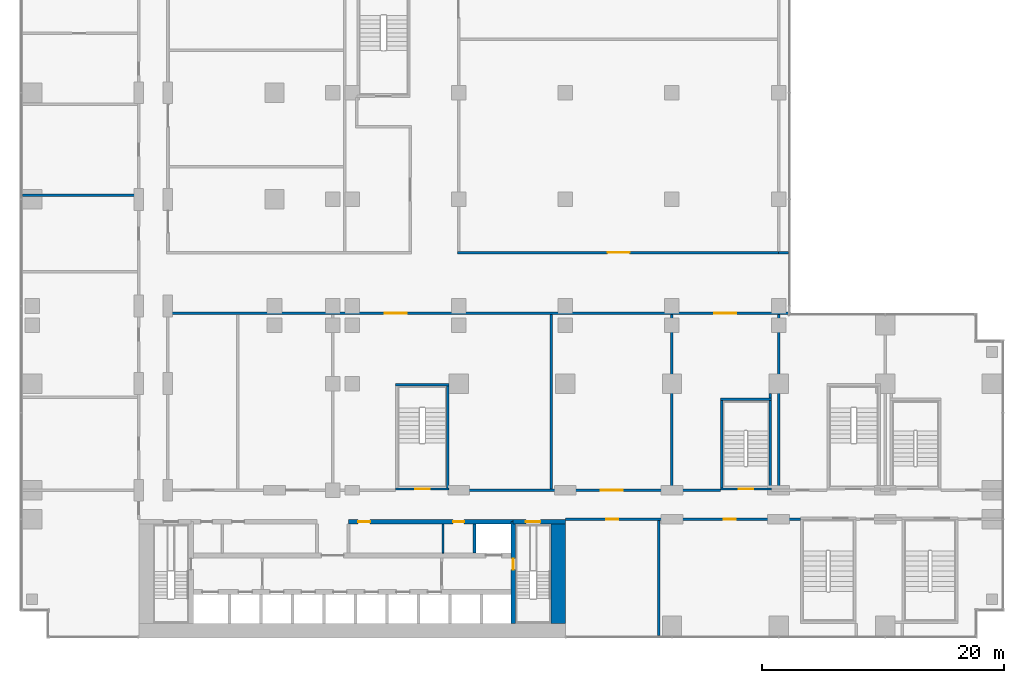
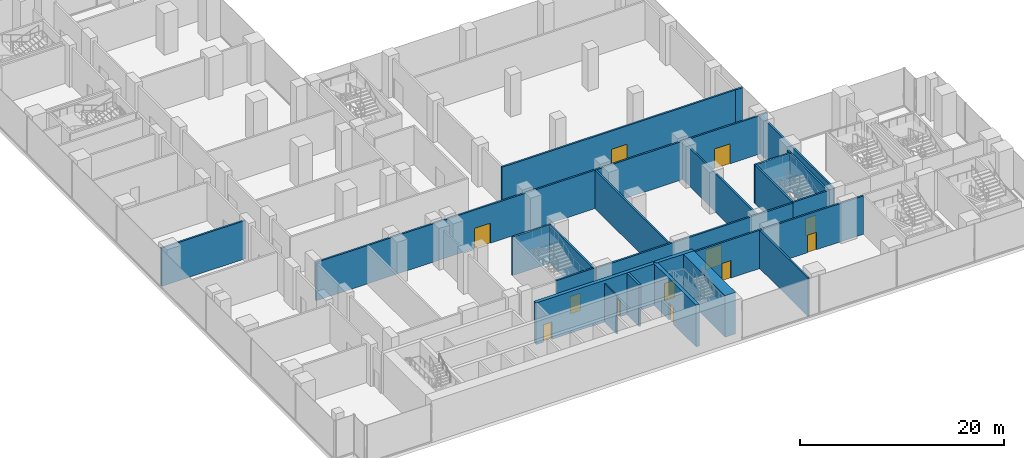
# One storey, part 19 of 30: 23 walls, 12 doors, 12 openings.
"""IFC4 building model written with IfcOpenShell, lengths in metres."""

from ifc_helpers import new_model, si_unit, direction, frame, frame_2d, origin, place, context, subcontext, project, spatial, rectangle, extrude, material, layer, layer_set, type_object, element, fill, save


model = new_model("IFC4")

# Units and contexts
model_context = context("Model", 3, precision=1e-05, world=origin(), true_north=direction((0.0, 1.0)))
body_context = subcontext(model_context, "Body", "Model", "MODEL_VIEW")
ifc_project = project(units=[si_unit("LENGTHUNIT", "METRE"), si_unit("AREAUNIT", "SQUARE_METRE"), si_unit("VOLUMEUNIT", "CUBIC_METRE"), si_unit("PLANEANGLEUNIT", "RADIAN"), si_unit("MASSUNIT", "GRAM", prefix="KILO")], contexts=[model_context])

# Site, building, storey
site_placement = place(None, origin())
site = spatial("IfcSite", under=ifc_project, at=site_placement, CompositionType="ELEMENT")
building_placement = place(site_placement, origin())
building = spatial("IfcBuilding", under=site, at=building_placement, Name="Kemantara Hotel Tower", CompositionType="ELEMENT")
storey_placement = place(building_placement, frame((0.0, 0.0, 13.0)))
storey = spatial("IfcBuildingStorey", under=building, at=storey_placement, Name="L02", CompositionType="ELEMENT", Elevation=13.0)

# Walls
ifc_material_1 = material(Name="Concrete fc 70 MPa", Category="concrete")
ifc_layer_1 = layer(ifc_material_1, 1.199951171875)
ifc_layer_set_1 = layer_set([ifc_layer_1], Name="Concrete fc 70 MPa")
wall_type_1 = type_object("IfcWallType", Name="CORE WALL 1200 FC70", PredefinedType="SHEAR", material=ifc_layer_set_1)
wall_1_placement = place(storey_placement, frame((44.39990234375, 1.199951171875, 0.0), z_axis=(0.0, 0.0, 1.0), x_axis=(0.0, 1.0, 0.0)))
element("IfcWall", 1, at=wall_1_placement, inside=storey, type_object=wall_type_1, Name="CORE WALL CW-E", PredefinedType="SHEAR", context=body_context, shape_type="SweptSolid", body=[
    extrude(rectangle(XDim=8.60009765625, YDim=1.199951171875, at=frame_2d((4.300048828125, 0.0))), origin(), (0.0, 0.0, 1.0), 5.0),
])
ifc_layer_2 = layer(ifc_material_1, 0.25)
ifc_layer_set_2 = layer_set([ifc_layer_2], Name="Concrete fc 70 MPa")
wall_type_2 = type_object("IfcWallType", Name="CORE WALL 250 FC70", PredefinedType="SHEAR", material=ifc_layer_set_2)
wall_2_placement = place(storey_placement, frame((37.5, 7.0, 0.0), z_axis=(0.0, 0.0, 1.0), x_axis=(0.0, 1.0, 0.0)))
element("IfcWall", 2, at=wall_2_placement, inside=storey, type_object=wall_type_2, Name="CORE WALL CW-DN37.5", PredefinedType="SHEAR", context=body_context, shape_type="SweptSolid", body=[
    extrude(rectangle(XDim=2.39990234375, YDim=0.25, at=frame_2d((1.199951171875, 0.0))), origin(), (0.0, 0.0, 1.0), 5.0),
])

# Wall, opening, door
ifc_layer_3 = layer(ifc_material_1, 0.39990234375)
ifc_layer_set_3 = layer_set([ifc_layer_3], Name="Concrete fc 70 MPa")
wall_type_3 = type_object("IfcWallType", Name="CORE WALL 400 FC70", PredefinedType="SHEAR", material=ifc_layer_set_3)
wall_3_placement = place(storey_placement, frame((40.699951171875, 9.60009765625, 0.0), z_axis=(0.0, 0.0, 1.0), x_axis=(1.0, 0.0, 0.0)))
wall_3 = element("IfcWall", 3, at=wall_3_placement, inside=storey, type_object=wall_type_3, Name="CORE WALL CW-N2", PredefinedType="SHEAR", context=body_context, shape_type="SweptSolid", body=[
    extrude(rectangle(XDim=4.300048828125, YDim=0.39990234375, at=frame_2d((2.14990234375, 0.0))), origin(), (0.0, 0.0, 1.0), 5.0),
])
opening_1_placement = place(wall_3_placement, frame((1.050048828125, 0.0, 0.0)))
opening_1 = element("IfcOpeningElement", 4, at=opening_1_placement, cuts=wall_3, Name="Opening C05-ST2-C", PredefinedType="OPENING", context=body_context, shape_type="SweptSolid", body=[
    extrude(rectangle(XDim=1.199951171875, YDim=2.10009765625, at=frame_2d((0.60009765625, 1.050048828125))), frame((0.0, 0.2099609375, 0.0), z_axis=(0.0, -1.0, 0.0), x_axis=(1.0, 0.0, 0.0)), (0.0, 0.0, 1.0), 0.419921875),
])
ifc_material_2 = material(Name="Steel fire door", Category="steel")
door_type_1 = type_object("IfcDoorType", Name="Fire door FD90 1200 x 2100", OperationType="NOTDEFINED", PredefinedType="DOOR", material=ifc_material_2)
door_1_placement = place(opening_1_placement, frame((1.199951171875, 0.0, 0.0), z_axis=(0.0, 0.0, 1.0), x_axis=(-1.0, 0.0, 0.0)))
door_1 = element("IfcDoor", 5, at=door_1_placement, inside=storey, type_object=door_type_1, Name="Stair ST2 door to corridor", OperationType="SINGLE_SWING_RIGHT", OverallHeight=2.10009765625, OverallWidth=1.199951171875, PredefinedType="DOOR", context=body_context, shape_type="SweptSolid", body=[
    extrude(rectangle(XDim=1.199951171875, YDim=2.10009765625, at=frame_2d((0.60009765625, 1.050048828125))), frame((0.0, 0.02490234375, 0.0), z_axis=(0.0, -1.0, 0.0), x_axis=(1.0, 0.0, 0.0)), (0.0, 0.0, 1.0), 0.050048828125),
])
fill(opening_1, door_1)

# Wall, openings, doors
wall_4_placement = place(storey_placement, frame((27.10009765625, 9.60009765625, 0.0), z_axis=(0.0, 0.0, 1.0), x_axis=(1.0, 0.0, 0.0)))
wall_4 = element("IfcWall", 6, at=wall_4_placement, inside=storey, type_object=wall_type_3, Name="CORE WALL CW-NN2", PredefinedType="SHEAR", context=body_context, shape_type="SweptSolid", body=[
    extrude(rectangle(XDim=13.599853515625, YDim=0.39990234375, at=frame_2d((6.7998046875, 0.0))), origin(), (0.0, 0.0, 1.0), 5.0),
])
opening_2_placement = place(wall_4_placement, frame((0.800048828125, 0.0, 0.0)))
opening_2 = element("IfcOpeningElement", 7, at=opening_2_placement, cuts=wall_4, Name="Opening C05-R-NE1", PredefinedType="OPENING", context=body_context, shape_type="SweptSolid", body=[
    extrude(rectangle(XDim=1.0, YDim=2.10009765625, at=frame_2d((0.5, 1.050048828125))), frame((0.0, 0.2099609375, 0.0), z_axis=(0.0, -1.0, 0.0), x_axis=(1.0, 0.0, 0.0)), (0.0, 0.0, 1.0), 0.419921875),
])
opening_3_placement = place(wall_4_placement, frame((8.64990234375, 0.0, 0.0)))
opening_3 = element("IfcOpeningElement", 8, at=opening_3_placement, cuts=wall_4, Name="Opening C05-R-NE2", PredefinedType="OPENING", context=body_context, shape_type="SweptSolid", body=[
    extrude(rectangle(XDim=0.89990234375, YDim=2.10009765625, at=frame_2d((0.449951171875, 1.050048828125))), frame((0.0, 0.2099609375, 0.0), z_axis=(0.0, -1.0, 0.0), x_axis=(1.0, 0.0, 0.0)), (0.0, 0.0, 1.0), 0.419921875),
])
door_type_2 = type_object("IfcDoorType", Name="Fire door FD30S 1000 x 2100", OperationType="NOTDEFINED", PredefinedType="DOOR", material=ifc_material_2)
door_2_placement = place(opening_2_placement, frame((1.0, 0.0, 0.0), z_axis=(0.0, 0.0, 1.0), x_axis=(-1.0, 0.0, 0.0)))
door_2 = element("IfcDoor", 9, at=door_2_placement, inside=storey, type_object=door_type_2, Name="Luggage Store door", OperationType="SINGLE_SWING_RIGHT", OverallHeight=2.10009765625, OverallWidth=1.0, PredefinedType="DOOR", context=body_context, shape_type="SweptSolid", body=[
    extrude(rectangle(XDim=1.0, YDim=2.10009765625, at=frame_2d((0.5, 1.050048828125))), frame((0.0, 0.02490234375, 0.0), z_axis=(0.0, -1.0, 0.0), x_axis=(1.0, 0.0, 0.0)), (0.0, 0.0, 1.0), 0.050048828125),
])
fill(opening_2, door_2)
door_type_3 = type_object("IfcDoorType", Name="Fire door FD60 900 x 2100", OperationType="NOTDEFINED", PredefinedType="DOOR", material=ifc_material_2)
door_3_placement = place(opening_3_placement, frame((0.89990234375, 0.0, 0.0), z_axis=(0.0, 0.0, 1.0), x_axis=(-1.0, 0.0, 0.0)))
door_3 = element("IfcDoor", 10, at=door_3_placement, inside=storey, type_object=door_type_3, Name="Electrical Riser Room door", OperationType="SINGLE_SWING_LEFT", OverallHeight=2.10009765625, OverallWidth=0.89990234375, PredefinedType="DOOR", context=body_context, shape_type="SweptSolid", body=[
    extrude(rectangle(XDim=0.89990234375, YDim=2.10009765625, at=frame_2d((0.449951171875, 1.050048828125))), frame((0.0, 0.02490234375, 0.0), z_axis=(0.0, -1.0, 0.0), x_axis=(1.0, 0.0, 0.0)), (0.0, 0.0, 1.0), 0.050048828125),
])
fill(opening_3, door_3)

# Wall, opening, door
wall_5_placement = place(storey_placement, frame((40.699951171875, 1.199951171875, 0.0), z_axis=(0.0, 0.0, 1.0), x_axis=(0.0, 1.0, 0.0)))
wall_5 = element("IfcWall", 11, at=wall_5_placement, inside=storey, type_object=wall_type_3, Name="CORE WALL CW-ST2W", PredefinedType="SHEAR", context=body_context, shape_type="SweptSolid", body=[
    extrude(rectangle(XDim=8.400146484375, YDim=0.39990234375, at=frame_2d((4.2001953125, 0.0))), origin(), (0.0, 0.0, 1.0), 5.0),
])
opening_4_placement = place(wall_5_placement, frame((4.449951171875, 0.0, 0.0)))
opening_4 = element("IfcOpeningElement", 12, at=opening_4_placement, cuts=wall_5, Name="Opening C05-ST2-F", PredefinedType="OPENING", context=body_context, shape_type="SweptSolid", body=[
    extrude(rectangle(XDim=0.89990234375, YDim=2.10009765625, at=frame_2d((0.449951171875, 1.050048828125))), frame((0.0, 0.2099609375, 0.0), z_axis=(0.0, -1.0, 0.0), x_axis=(1.0, 0.0, 0.0)), (0.0, 0.0, 1.0), 0.419921875),
])
door_type_4 = type_object("IfcDoorType", Name="Fire door FD90 900 x 2100", OperationType="NOTDEFINED", PredefinedType="DOOR", material=ifc_material_2)
door_4_placement = place(opening_4_placement, frame((0.89990234375, 0.0, 0.0), z_axis=(0.0, 0.0, 1.0), x_axis=(-1.0, 0.0, 0.0)))
door_4 = element("IfcDoor", 13, at=door_4_placement, inside=storey, type_object=door_type_4, Name="Stair ST2 door to firefighting lobby", OperationType="SINGLE_SWING_LEFT", OverallHeight=2.10009765625, OverallWidth=0.89990234375, PredefinedType="DOOR", context=body_context, shape_type="SweptSolid", body=[
    extrude(rectangle(XDim=0.89990234375, YDim=2.10009765625, at=frame_2d((0.449951171875, 1.050048828125))), frame((0.0, 0.02490234375, 0.0), z_axis=(0.0, -1.0, 0.0), x_axis=(1.0, 0.0, 0.0)), (0.0, 0.0, 1.0), 0.050048828125),
])
fill(opening_4, door_4)

ifc_material_3 = material(Name="Concrete fc 40 MPa", Category="concrete")
ifc_layer_4 = layer(ifc_material_3, 0.199951171875)
ifc_layer_set_4 = layer_set([ifc_layer_4], Name="Concrete fc 40 MPa")
wall_type_4 = type_object("IfcWallType", Name="Concrete stair wall 200 mm", PredefinedType="SHEAR", material=ifc_layer_set_4)
wall_6_placement = place(storey_placement, frame((57.800048828125, 12.300048828125, 0.0), z_axis=(0.0, 0.0, 1.0), x_axis=(1.0, 0.0, 0.0)))
wall_6 = element("IfcWall", 14, at=wall_6_placement, inside=storey, type_object=wall_type_4, Name="Stair ST3 enclosure wall with door", PredefinedType="SHEAR", context=body_context, shape_type="SweptSolid", body=[
    extrude(rectangle(XDim=4.199951171875, YDim=0.199951171875, at=frame_2d((2.10009765625, 0.0))), origin(), (0.0, 0.0, 1.0), 4.60009765625),
])
opening_5_placement = place(wall_6_placement, frame((1.5, 0.0, 0.0)))
opening_5 = element("IfcOpeningElement", 15, at=opening_5_placement, cuts=wall_6, Name="Opening ST3-C", PredefinedType="OPENING", context=body_context, shape_type="SweptSolid", body=[
    extrude(rectangle(XDim=1.199951171875, YDim=2.10009765625, at=frame_2d((0.60009765625, 1.050048828125))), frame((0.0, 0.10986328125, 0.0), z_axis=(0.0, -1.0, 0.0), x_axis=(1.0, 0.0, 0.0)), (0.0, 0.0, 1.0), 0.219970703125),
])
door_5_placement = place(opening_5_placement, origin())
door_5 = element("IfcDoor", 16, at=door_5_placement, inside=storey, type_object=door_type_1, Name="Stair ST3 door", OperationType="SINGLE_SWING_RIGHT", OverallHeight=2.10009765625, OverallWidth=1.199951171875, PredefinedType="DOOR", context=body_context, shape_type="SweptSolid", body=[
    extrude(rectangle(XDim=1.199951171875, YDim=2.10009765625, at=frame_2d((0.60009765625, 1.050048828125))), frame((0.0, 0.02490234375, 0.0), z_axis=(0.0, -1.0, 0.0), x_axis=(1.0, 0.0, 0.0)), (0.0, 0.0, 1.0), 0.050048828125),
])
fill(opening_5, door_5)

# Walls
wall_7_placement = place(storey_placement, frame((57.800048828125, 19.699951171875, 0.0), z_axis=(0.0, 0.0, 1.0), x_axis=(1.0, 0.0, 0.0)))
element("IfcWall", 17, at=wall_7_placement, inside=storey, type_object=wall_type_4, Name="Stair ST3 enclosure wall N", PredefinedType="SHEAR", context=body_context, shape_type="SweptSolid", body=[
    extrude(rectangle(XDim=4.199951171875, YDim=0.199951171875, at=frame_2d((2.10009765625, 0.0))), origin(), (0.0, 0.0, 1.0), 4.60009765625),
])
wall_8_placement = place(storey_placement, frame((57.89990234375, 12.39990234375, 0.0), z_axis=(0.0, 0.0, 1.0), x_axis=(0.0, 1.0, 0.0)))
element("IfcWall", 18, at=wall_8_placement, inside=storey, type_object=wall_type_4, Name="Stair ST3 enclosure wall W", PredefinedType="SHEAR", context=body_context, shape_type="SweptSolid", body=[
    extrude(rectangle(XDim=7.2001953125, YDim=0.199951171875, at=frame_2d((3.60009765625, 0.0))), origin(), (0.0, 0.0, 1.0), 4.60009765625),
])
wall_9_placement = place(storey_placement, frame((61.89990234375, 12.39990234375, 0.0), z_axis=(0.0, 0.0, 1.0), x_axis=(0.0, 1.0, 0.0)))
element("IfcWall", 19, at=wall_9_placement, inside=storey, type_object=wall_type_4, Name="Stair ST3 enclosure wall E", PredefinedType="SHEAR", context=body_context, shape_type="SweptSolid", body=[
    extrude(rectangle(XDim=7.800048828125, YDim=0.199951171875, at=frame_2d((3.89990234375, 0.0))), origin(), (0.0, 0.0, 1.0), 4.60009765625),
])

# Wall, opening, door
wall_10_placement = place(storey_placement, frame((31.0, 12.300048828125, 0.0), z_axis=(0.0, 0.0, 1.0), x_axis=(1.0, 0.0, 0.0)))
wall_10 = element("IfcWall", 20, at=wall_10_placement, inside=storey, type_object=wall_type_4, Name="Stair PS3 enclosure wall with door", PredefinedType="SHEAR", context=body_context, shape_type="SweptSolid", body=[
    extrude(rectangle(XDim=4.39990234375, YDim=0.199951171875, at=frame_2d((2.199951171875, 0.0))), origin(), (0.0, 0.0, 1.0), 4.60009765625),
])
opening_6_placement = place(wall_10_placement, frame((1.60009765625, 0.0, 0.0)))
opening_6 = element("IfcOpeningElement", 21, at=opening_6_placement, cuts=wall_10, Name="Opening PS3-C", PredefinedType="OPENING", context=body_context, shape_type="SweptSolid", body=[
    extrude(rectangle(XDim=1.199951171875, YDim=2.10009765625, at=frame_2d((0.60009765625, 1.050048828125))), frame((0.0, 0.10986328125, 0.0), z_axis=(0.0, -1.0, 0.0), x_axis=(1.0, 0.0, 0.0)), (0.0, 0.0, 1.0), 0.219970703125),
])
door_6_placement = place(opening_6_placement, origin())
door_6 = element("IfcDoor", 22, at=door_6_placement, inside=storey, type_object=door_type_1, Name="Stair PS3 door", OperationType="SINGLE_SWING_LEFT", OverallHeight=2.10009765625, OverallWidth=1.199951171875, PredefinedType="DOOR", context=body_context, shape_type="SweptSolid", body=[
    extrude(rectangle(XDim=1.199951171875, YDim=2.10009765625, at=frame_2d((0.60009765625, 1.050048828125))), frame((0.0, 0.02490234375, 0.0), z_axis=(0.0, -1.0, 0.0), x_axis=(1.0, 0.0, 0.0)), (0.0, 0.0, 1.0), 0.050048828125),
])
fill(opening_6, door_6)

# Walls
wall_11_placement = place(storey_placement, frame((31.0, 20.89990234375, 0.0), z_axis=(0.0, 0.0, 1.0), x_axis=(1.0, 0.0, 0.0)))
element("IfcWall", 23, at=wall_11_placement, inside=storey, type_object=wall_type_4, Name="Stair PS3 enclosure wall N", PredefinedType="SHEAR", context=body_context, shape_type="SweptSolid", body=[
    extrude(rectangle(XDim=4.39990234375, YDim=0.199951171875, at=frame_2d((2.199951171875, 0.0))), origin(), (0.0, 0.0, 1.0), 4.60009765625),
])
wall_12_placement = place(storey_placement, frame((35.300048828125, 12.39990234375, 0.0), z_axis=(0.0, 0.0, 1.0), x_axis=(0.0, 1.0, 0.0)))
element("IfcWall", 24, at=wall_12_placement, inside=storey, type_object=wall_type_4, Name="Stair PS3 enclosure wall E", PredefinedType="SHEAR", context=body_context, shape_type="SweptSolid", body=[
    extrude(rectangle(XDim=8.400146484375, YDim=0.199951171875, at=frame_2d((4.2001953125, 0.0))), origin(), (0.0, 0.0, 1.0), 4.60009765625),
])
ifc_material_4 = material(Name="Clay brick masonry", Category="masonry")
ifc_layer_5 = layer(ifc_material_4, 0.199951171875)
ifc_layer_set_5 = layer_set([ifc_layer_5], Name="Clay brick masonry")
wall_type_5 = type_object("IfcWallType", Name="FIRE-RATED CLAY BRICK WALL 200 EI 120", PredefinedType="PARTITIONING", material=ifc_layer_set_5)
wall_13_placement = place(storey_placement, frame((62.60009765625, 31.800048828125, 0.0), z_axis=(0.0, 0.0, 1.0), x_axis=(1.0, 0.0, 0.0)))
element("IfcWall", 25, at=wall_13_placement, inside=storey, type_object=wall_type_5, Name="FIRE WALL", PredefinedType="PARTITIONING", context=body_context, shape_type="SweptSolid", body=[
    extrude(rectangle(XDim=0.7998046875, YDim=0.199951171875, at=frame_2d((0.39990234375, 0.0))), origin(), (0.0, 0.0, 1.0), 4.60009765625),
])

# Wall, openings, doors
ifc_material_5 = material(Name="Fire-rated gypsum board partition")
ifc_layer_6 = layer(ifc_material_5, 0.199951171875)
ifc_layer_set_6 = layer_set([ifc_layer_6], Name="Fire-rated gypsum board partition")
wall_type_6 = type_object("IfcWallType", Name="FIRE-RATED GYPSUM PARTITION 200 EI 60", PredefinedType="PARTITIONING", material=ifc_layer_set_6)
wall_14_placement = place(storey_placement, frame((45.0, 9.800048828125, 0.0), z_axis=(0.0, 0.0, 1.0), x_axis=(1.0, 0.0, 0.0)))
wall_14 = element("IfcWall", 26, at=wall_14_placement, inside=storey, type_object=wall_type_6, Name="FIRE-RATED PARTITION", PredefinedType="PARTITIONING", context=body_context, shape_type="SweptSolid", body=[
    extrude(rectangle(XDim=19.39990234375, YDim=0.199951171875, at=frame_2d((9.699951171875, 0.0))), origin(), (0.0, 0.0, 1.0), 4.60009765625),
])
opening_7_placement = place(wall_14_placement, frame((3.360107421875, 0.0, 0.0)))
opening_7 = element("IfcOpeningElement", 27, at=opening_7_placement, cuts=wall_14, Name="Opening L02-B004", PredefinedType="OPENING", context=body_context, shape_type="SweptSolid", body=[
    extrude(rectangle(XDim=1.0, YDim=2.10009765625, at=frame_2d((0.5, 1.050048828125))), frame((0.0, 0.10986328125, 0.0), z_axis=(0.0, -1.0, 0.0), x_axis=(1.0, 0.0, 0.0)), (0.0, 0.0, 1.0), 0.219970703125),
])
opening_8_placement = place(wall_14_placement, frame((13.06005859375, 0.0, 0.0)))
opening_8 = element("IfcOpeningElement", 28, at=opening_8_placement, cuts=wall_14, Name="Opening L02-B005", PredefinedType="OPENING", context=body_context, shape_type="SweptSolid", body=[
    extrude(rectangle(XDim=1.0, YDim=2.10009765625, at=frame_2d((0.5, 1.050048828125))), frame((0.0, 0.10986328125, 0.0), z_axis=(0.0, -1.0, 0.0), x_axis=(1.0, 0.0, 0.0)), (0.0, 0.0, 1.0), 0.219970703125),
])
ifc_material_6 = material(Name="Timber veneer door leaf", Category="wood")
door_type_5 = type_object("IfcDoorType", Name="SINGLE LEAF TIMBER DOOR 1000 X 2100", OperationType="SINGLE_SWING_LEFT", PredefinedType="DOOR", material=ifc_material_6)
door_7_placement = place(opening_7_placement, frame((1.0, 0.0, 0.0), z_axis=(0.0, 0.0, 1.0), x_axis=(-1.0, 0.0, 0.0)))
door_7 = element("IfcDoor", 29, at=door_7_placement, inside=storey, type_object=door_type_5, Name="SINGLE LEAF TIMBER DOOR", OperationType="SINGLE_SWING_RIGHT", OverallHeight=2.10009765625, OverallWidth=1.0, PredefinedType="DOOR", context=body_context, shape_type="SweptSolid", body=[
    extrude(rectangle(XDim=1.0, YDim=2.10009765625, at=frame_2d((0.5, 1.050048828125))), frame((0.0, 0.02490234375, 0.0), z_axis=(0.0, -1.0, 0.0), x_axis=(1.0, 0.0, 0.0)), (0.0, 0.0, 1.0), 0.050048828125),
])
fill(opening_7, door_7)
door_8_placement = place(opening_8_placement, frame((1.0, 0.0, 0.0), z_axis=(0.0, 0.0, 1.0), x_axis=(-1.0, 0.0, 0.0)))
door_8 = element("IfcDoor", 30, at=door_8_placement, inside=storey, type_object=door_type_5, Name="SINGLE LEAF TIMBER DOOR", OperationType="SINGLE_SWING_LEFT", OverallHeight=2.10009765625, OverallWidth=1.0, PredefinedType="DOOR", context=body_context, shape_type="SweptSolid", body=[
    extrude(rectangle(XDim=1.0, YDim=2.10009765625, at=frame_2d((0.5, 1.050048828125))), frame((0.0, 0.02490234375, 0.0), z_axis=(0.0, -1.0, 0.0), x_axis=(1.0, 0.0, 0.0)), (0.0, 0.0, 1.0), 0.050048828125),
])
fill(opening_8, door_8)

# Wall, opening, door
wall_15_placement = place(storey_placement, frame((35.39990234375, 12.199951171875, 0.0), z_axis=(0.0, 0.0, 1.0), x_axis=(1.0, 0.0, 0.0)))
wall_15 = element("IfcWall", 31, at=wall_15_placement, inside=storey, type_object=wall_type_6, Name="FIRE-RATED PARTITION", PredefinedType="PARTITIONING", context=body_context, shape_type="SweptSolid", body=[
    extrude(rectangle(XDim=22.400146484375, YDim=0.199951171875, at=frame_2d((11.2001953125, 0.0))), origin(), (0.0, 0.0, 1.0), 4.60009765625),
])
opening_9_placement = place(wall_15_placement, frame((12.52490234375, 0.0, 0.0)))
opening_9 = element("IfcOpeningElement", 32, at=opening_9_placement, cuts=wall_15, Name="Opening L02-B025", PredefinedType="OPENING", context=body_context, shape_type="SweptSolid", body=[
    extrude(rectangle(XDim=1.800048828125, YDim=2.39990234375, at=frame_2d((0.89990234375, 1.199951171875))), frame((0.0, 0.10986328125, 0.0), z_axis=(0.0, -1.0, 0.0), x_axis=(1.0, 0.0, 0.0)), (0.0, 0.0, 1.0), 0.219970703125),
])
ifc_material_7 = material(Name="Toughened glass door leaf", Category="glass")
door_type_6 = type_object("IfcDoorType", Name="GLAZED DOUBLE DOOR 1800 X 2400", OperationType="DOUBLE_DOOR_SINGLE_SWING", PredefinedType="DOOR", material=ifc_material_7)
door_9_placement = place(opening_9_placement, frame((1.800048828125, 0.0, 0.0), z_axis=(0.0, 0.0, 1.0), x_axis=(-1.0, 0.0, 0.0)))
door_9 = element("IfcDoor", 33, at=door_9_placement, inside=storey, type_object=door_type_6, Name="GLAZED DOUBLE DOOR", OperationType="DOUBLE_DOOR_SINGLE_SWING", OverallHeight=2.39990234375, OverallWidth=1.800048828125, PredefinedType="DOOR", context=body_context, shape_type="SweptSolid", body=[
    extrude(rectangle(XDim=1.800048828125, YDim=2.39990234375, at=frame_2d((0.89990234375, 1.199951171875))), frame((0.0, 0.02490234375, 0.0), z_axis=(0.0, -1.0, 0.0), x_axis=(1.0, 0.0, 0.0)), (0.0, 0.0, 1.0), 0.050048828125),
])
fill(opening_9, door_9)

# Wall, openings, doors
ifc_material_8 = material(Name="Gypsum board partition")
ifc_layer_7 = layer(ifc_material_8, 0.199951171875)
ifc_layer_set_7 = layer_set([ifc_layer_7], Name="Gypsum board partition")
wall_type_7 = type_object("IfcWallType", Name="GYPSUM BOARD PARTITION 200", PredefinedType="PARTITIONING", material=ifc_layer_set_7)
wall_16_placement = place(storey_placement, frame((12.10009765625, 26.800048828125, 0.0), z_axis=(0.0, 0.0, 1.0), x_axis=(1.0, 0.0, 0.0)))
wall_16 = element("IfcWall", 34, at=wall_16_placement, inside=storey, type_object=wall_type_7, Name="PARTITION", PredefinedType="PARTITIONING", context=body_context, shape_type="SweptSolid", body=[
    extrude(rectangle(XDim=51.2998046875, YDim=0.199951171875, at=frame_2d((25.64990234375, 0.0))), origin(), (0.0, 0.0, 1.0), 4.60009765625),
])
opening_10_placement = place(wall_16_placement, frame((18.0, 0.0, 0.0)))
opening_10 = element("IfcOpeningElement", 35, at=opening_10_placement, cuts=wall_16, Name="Opening L02-B024", PredefinedType="OPENING", context=body_context, shape_type="SweptSolid", body=[
    extrude(rectangle(XDim=1.800048828125, YDim=2.39990234375, at=frame_2d((0.89990234375, 1.199951171875))), frame((0.0, 0.10986328125, 0.0), z_axis=(0.0, -1.0, 0.0), x_axis=(1.0, 0.0, 0.0)), (0.0, 0.0, 1.0), 0.219970703125),
])
opening_11_placement = place(wall_16_placement, frame((45.199951171875, 0.0, 0.0)))
opening_11 = element("IfcOpeningElement", 36, at=opening_11_placement, cuts=wall_16, Name="Opening L02-B026", PredefinedType="OPENING", context=body_context, shape_type="SweptSolid", body=[
    extrude(rectangle(XDim=1.800048828125, YDim=2.39990234375, at=frame_2d((0.89990234375, 1.199951171875))), frame((0.0, 0.10986328125, 0.0), z_axis=(0.0, -1.0, 0.0), x_axis=(1.0, 0.0, 0.0)), (0.0, 0.0, 1.0), 0.219970703125),
])
door_10_placement = place(opening_10_placement, frame((1.800048828125, 0.0, 0.0), z_axis=(0.0, 0.0, 1.0), x_axis=(-1.0, 0.0, 0.0)))
door_10 = element("IfcDoor", 37, at=door_10_placement, inside=storey, type_object=door_type_6, Name="GLAZED DOUBLE DOOR", OperationType="DOUBLE_DOOR_SINGLE_SWING", OverallHeight=2.39990234375, OverallWidth=1.800048828125, PredefinedType="DOOR", context=body_context, shape_type="SweptSolid", body=[
    extrude(rectangle(XDim=1.800048828125, YDim=2.39990234375, at=frame_2d((0.89990234375, 1.199951171875))), frame((0.0, 0.02490234375, 0.0), z_axis=(0.0, -1.0, 0.0), x_axis=(1.0, 0.0, 0.0)), (0.0, 0.0, 1.0), 0.050048828125),
])
fill(opening_10, door_10)
door_11_placement = place(opening_11_placement, frame((1.800048828125, 0.0, 0.0), z_axis=(0.0, 0.0, 1.0), x_axis=(-1.0, 0.0, 0.0)))
door_11 = element("IfcDoor", 38, at=door_11_placement, inside=storey, type_object=door_type_6, Name="GLAZED DOUBLE DOOR", OperationType="DOUBLE_DOOR_SINGLE_SWING", OverallHeight=2.39990234375, OverallWidth=1.800048828125, PredefinedType="DOOR", context=body_context, shape_type="SweptSolid", body=[
    extrude(rectangle(XDim=1.800048828125, YDim=2.39990234375, at=frame_2d((0.89990234375, 1.199951171875))), frame((0.0, 0.02490234375, 0.0), z_axis=(0.0, -1.0, 0.0), x_axis=(1.0, 0.0, 0.0)), (0.0, 0.0, 1.0), 0.050048828125),
])
fill(opening_11, door_11)

# Wall, opening, door
wall_17_placement = place(storey_placement, frame((36.10009765625, 31.800048828125, 0.0), z_axis=(0.0, 0.0, 1.0), x_axis=(1.0, 0.0, 0.0)))
wall_17 = element("IfcWall", 39, at=wall_17_placement, inside=storey, type_object=wall_type_7, Name="PARTITION", PredefinedType="PARTITIONING", context=body_context, shape_type="SweptSolid", body=[
    extrude(rectangle(XDim=26.5, YDim=0.199951171875, at=frame_2d((13.25, 0.0))), origin(), (0.0, 0.0, 1.0), 4.60009765625),
])
opening_12_placement = place(wall_17_placement, frame((12.39990234375, 0.0, 0.0)))
opening_12 = element("IfcOpeningElement", 40, at=opening_12_placement, cuts=wall_17, Name="Opening L02-B029", PredefinedType="OPENING", context=body_context, shape_type="SweptSolid", body=[
    extrude(rectangle(XDim=1.800048828125, YDim=2.39990234375, at=frame_2d((0.89990234375, 1.199951171875))), frame((0.0, 0.10986328125, 0.0), z_axis=(0.0, -1.0, 0.0), x_axis=(1.0, 0.0, 0.0)), (0.0, 0.0, 1.0), 0.219970703125),
])
door_12_placement = place(opening_12_placement, origin())
door_12 = element("IfcDoor", 41, at=door_12_placement, inside=storey, type_object=door_type_6, Name="GLAZED DOUBLE DOOR", OperationType="DOUBLE_DOOR_SINGLE_SWING", OverallHeight=2.39990234375, OverallWidth=1.800048828125, PredefinedType="DOOR", context=body_context, shape_type="SweptSolid", body=[
    extrude(rectangle(XDim=1.800048828125, YDim=2.39990234375, at=frame_2d((0.89990234375, 1.199951171875))), frame((0.0, 0.02490234375, 0.0), z_axis=(0.0, -1.0, 0.0), x_axis=(1.0, 0.0, 0.0)), (0.0, 0.0, 1.0), 0.050048828125),
])
fill(opening_12, door_12)

# Walls
for number, where, z_axis, x_axis, name in (
    (42, (0.199951171875, 36.530029296875, 0.0), (0.0, 0.0, 1.0), (1.0, 0.0, 0.0), "PARTITION"),
    (43, (52.719970703125, 0.199951171875, 0.0), (0.0, 0.0, 1.0), (0.0, 1.0, 0.0), "PARTITION"),
):
    element("IfcWall", number, at=place(storey_placement, frame(where, z_axis=z_axis, x_axis=x_axis)), inside=storey, type_object=wall_type_7, Name=name, PredefinedType="PARTITIONING", context=body_context, shape_type="SweptSolid", body=[
        extrude(rectangle(XDim=9.5, YDim=0.199951171875, at=frame_2d((4.75, 0.0))), origin(), (0.0, 0.0, 1.0), 4.60009765625),
    ])
for number, where, z_axis, x_axis, name in (
    (44, (43.85009765625, 12.300048828125, 0.0), (0.0, 0.0, 1.0), (0.0, 1.0, 0.0), "PARTITION"),
    (45, (53.800048828125, 12.300048828125, 0.0), (0.0, 0.0, 1.0), (0.0, 1.0, 0.0), "PARTITION"),
    (46, (62.60009765625, 12.300048828125, 0.0), (0.0, 0.0, 1.0), (0.0, 1.0, 0.0), "PARTITION"),
):
    element("IfcWall", number, at=place(storey_placement, frame(where, z_axis=z_axis, x_axis=x_axis)), inside=storey, type_object=wall_type_7, Name=name, PredefinedType="PARTITIONING", context=body_context, shape_type="SweptSolid", body=[
        extrude(rectangle(XDim=14.39990234375, YDim=0.199951171875, at=frame_2d((7.199951171875, 0.0))), origin(), (0.0, 0.0, 1.0), 4.60009765625),
    ])
ifc_layer_8 = layer(ifc_material_8, 0.14990234375)
ifc_layer_set_8 = layer_set([ifc_layer_8], Name="Gypsum board partition")
wall_type_8 = type_object("IfcWallType", Name="Gypsum board partition 150 mm", PredefinedType="PARTITIONING", material=ifc_layer_set_8)
wall_18_placement = place(storey_placement, frame((34.89990234375, 7.0, 0.0), z_axis=(0.0, 0.0, 1.0), x_axis=(0.0, 1.0, 0.0)))
element("IfcWall", 47, at=wall_18_placement, inside=storey, type_object=wall_type_8, Name="Core room partition", PredefinedType="PARTITIONING", context=body_context, shape_type="SweptSolid", body=[
    extrude(rectangle(XDim=2.39990234375, YDim=0.14990234375, at=frame_2d((1.199951171875, 0.0))), origin(), (0.0, 0.0, 1.0), 4.60009765625),
])

save(model, "model.ifc")
